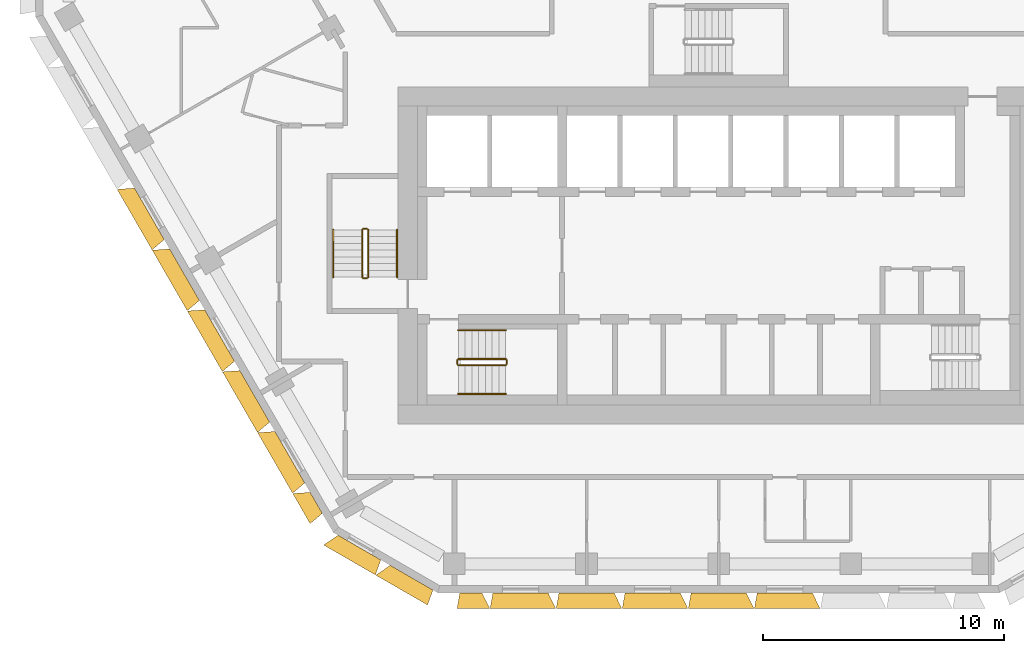
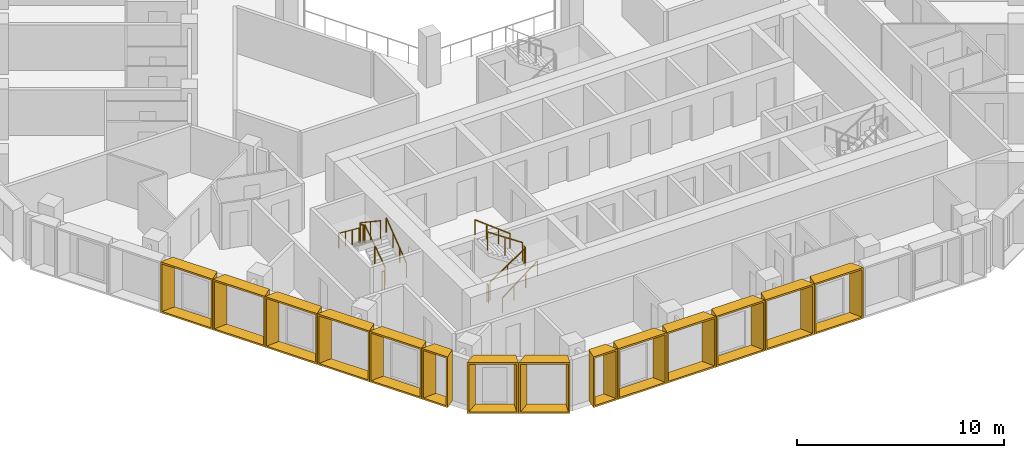
# One storey, part 12 of 15: 14 shading devices, 12 railings.
"""IFC4 building model written with IfcOpenShell, lengths in metres."""

from ifc_helpers import new_model, entity, si_unit, direction, frame, origin, origin_2d, place, context, subcontext, project, spatial, rectangle, extrude, source, transform, mapped, material, type_object, type_shapes, element, save


model = new_model("IFC4")

# Units and contexts
model_context = context("Model", 3, precision=1e-05, world=origin(), true_north=direction((0.0, 1.0)))
body_context = subcontext(model_context, "Body", "Model", "MODEL_VIEW")
ifc_project = project(units=[si_unit("LENGTHUNIT", "METRE"), si_unit("AREAUNIT", "SQUARE_METRE"), si_unit("VOLUMEUNIT", "CUBIC_METRE"), si_unit("PLANEANGLEUNIT", "RADIAN"), si_unit("MASSUNIT", "GRAM", prefix="KILO")], contexts=[model_context])

# Site, building, storey
site_placement = place(None, origin())
site = spatial("IfcSite", under=ifc_project, at=site_placement, CompositionType="ELEMENT")
building_placement = place(site_placement, origin())
building = spatial("IfcBuilding", under=site, at=building_placement, Name="Beryl Residences", CompositionType="ELEMENT")
storey_placement = place(building_placement, frame((0.0, 0.0, 135.60009765625)))
storey = spatial("IfcBuildingStorey", under=building, at=storey_placement, Name="L41", CompositionType="ELEMENT", Elevation=135.60009765625)

# Shading devices
ifc_material_1 = material(Name="Aluminium pale anodised", Category="aluminium")
shading_device_type_1 = type_object("IfcShadingDeviceType", Name="FR137-65C OUTER SKIN frame 650 mm deep, splay 10/26 deg, 1370 x 3000 mm cell", PredefinedType="USERDEFINED", material=ifc_material_1)
cartesian_point_1 = entity("IfcCartesianPoint", [-0.458984375, 0.0])
cartesian_point_2 = entity("IfcCartesianPoint", [-0.377685546875, 0.10009765625])
cartesian_point_3 = entity("IfcCartesianPoint", [-0.57373046875, 0.0])
cartesian_point_4 = entity("IfcCartesianPoint", [-0.492431640625, 0.10009765625])
shared_shape_1 = source(origin(), body_context, "Body", "SweptSolid", [
    entity("IfcExtrudedAreaSolidTapered", entity("IfcArbitraryProfileDefWithVoids", "AREA", None, entity("IfcPolyline", [cartesian_point_1, entity("IfcCartesianPoint", [0.458984375, 0.0]), entity("IfcCartesianPoint", [0.458984375, 3.0]), entity("IfcCartesianPoint", [-0.458984375, 3.0]), cartesian_point_1]), [entity("IfcPolyline", [cartesian_point_2, entity("IfcCartesianPoint", [0.369873046875, 0.10009765625]), entity("IfcCartesianPoint", [0.369873046875, 2.89990234375]), entity("IfcCartesianPoint", [-0.377685546875, 2.89990234375]), cartesian_point_2])]), entity("IfcAxis2Placement3D", entity("IfcCartesianPoint", [0.0, 0.0, 0.0]), entity("IfcDirection", [0.0, 1.0, 0.0]), entity("IfcDirection", [-1.0, 0.0, 0.0])), entity("IfcDirection", [0.0, 0.0, 1.0]), 0.64990234375, entity("IfcArbitraryProfileDefWithVoids", "AREA", None, entity("IfcPolyline", [cartesian_point_3, entity("IfcCartesianPoint", [0.776123046875, 0.0]), entity("IfcCartesianPoint", [0.776123046875, 3.0]), entity("IfcCartesianPoint", [-0.57373046875, 3.0]), cartesian_point_3]), [entity("IfcPolyline", [cartesian_point_4, entity("IfcCartesianPoint", [0.68701171875, 0.10009765625]), entity("IfcCartesianPoint", [0.68701171875, 2.89990234375]), entity("IfcCartesianPoint", [-0.492431640625, 2.89990234375]), cartesian_point_4])])),
])
type_shapes(shading_device_type_1, [shared_shape_1])
shading_device_1_placement = place(storey_placement, frame((-10.282958984375, -26.0, 0.0), z_axis=(0.0, 0.0, 1.0), x_axis=(-1.0, 0.0, 0.0)))
element("IfcShadingDevice", 1, at=shading_device_1_placement, inside=storey, type_object=shading_device_type_1, Name="FR137-65C frame L41 S 1", ObjectType="OUTER SKIN", PredefinedType="USERDEFINED", context=body_context, shape_type="MappedRepresentation", body=[
    mapped(shared_shape_1, transform((0.0, 0.0, 0.0))),
])
ifc_material_2 = material(Name="Aluminium pale anodised", Category="aluminium")
shading_device_type_2 = type_object("IfcShadingDeviceType", Name="FR146-65B OUTER SKIN frame 650 mm deep, splay 26/10 deg, 1460 x 3000 mm cell", PredefinedType="USERDEFINED", material=ifc_material_2)
cartesian_point_5 = entity("IfcCartesianPoint", [-0.50390625, 0.0])
cartesian_point_6 = entity("IfcCartesianPoint", [-0.4150390625, 0.10009765625])
cartesian_point_7 = entity("IfcCartesianPoint", [-0.821044921875, 0.0])
cartesian_point_8 = entity("IfcCartesianPoint", [-0.73193359375, 0.10009765625])
shared_shape_2 = source(origin(), body_context, "Body", "SweptSolid", [
    entity("IfcExtrudedAreaSolidTapered", entity("IfcArbitraryProfileDefWithVoids", "AREA", None, entity("IfcPolyline", [cartesian_point_5, entity("IfcCartesianPoint", [0.50390625, 0.0]), entity("IfcCartesianPoint", [0.50390625, 3.0]), entity("IfcCartesianPoint", [-0.50390625, 3.0]), cartesian_point_5]), [entity("IfcPolyline", [cartesian_point_6, entity("IfcCartesianPoint", [0.4228515625, 0.10009765625]), entity("IfcCartesianPoint", [0.4228515625, 2.89990234375]), entity("IfcCartesianPoint", [-0.4150390625, 2.89990234375]), cartesian_point_6])]), entity("IfcAxis2Placement3D", entity("IfcCartesianPoint", [0.0, 0.0, 0.0]), entity("IfcDirection", [0.0, 1.0, 0.0]), entity("IfcDirection", [-1.0, 0.0, 0.0])), entity("IfcDirection", [0.0, 0.0, 1.0]), 0.64990234375, entity("IfcArbitraryProfileDefWithVoids", "AREA", None, entity("IfcPolyline", [cartesian_point_7, entity("IfcCartesianPoint", [0.61865234375, 0.0]), entity("IfcCartesianPoint", [0.61865234375, 3.0]), entity("IfcCartesianPoint", [-0.821044921875, 3.0]), cartesian_point_7]), [entity("IfcPolyline", [cartesian_point_8, entity("IfcCartesianPoint", [0.537353515625, 0.10009765625]), entity("IfcCartesianPoint", [0.537353515625, 2.89990234375]), entity("IfcCartesianPoint", [-0.73193359375, 2.89990234375]), cartesian_point_8])])),
])
type_shapes(shading_device_type_2, [shared_shape_2])
shading_device_2_placement = place(storey_placement, frame((-16.7041015625, -22.26806640625, 0.0), z_axis=(0.0, 0.0, 1.0), x_axis=(-0.5, 0.866025403784, 0.0)))
element("IfcShadingDevice", 2, at=shading_device_2_placement, inside=storey, type_object=shading_device_type_2, Name="FR146-65B frame L41 SW 9", ObjectType="OUTER SKIN", PredefinedType="USERDEFINED", context=body_context, shape_type="MappedRepresentation", body=[
    mapped(shared_shape_2, transform((0.0, 0.0, 0.0))),
])
ifc_material_3 = material(Name="Aluminium pale anodised", Category="aluminium")
shading_device_type_3 = type_object("IfcShadingDeviceType", Name="FR250-65B OUTER SKIN frame 650 mm deep, splay 26/10 deg, 2500 x 3000 mm cell", PredefinedType="USERDEFINED", material=ifc_material_3)
cartesian_point_9 = entity("IfcCartesianPoint", [-1.02392578125, 0.0])
cartesian_point_10 = entity("IfcCartesianPoint", [-0.93505859375, 0.10009765625])
cartesian_point_11 = entity("IfcCartesianPoint", [-1.341064453125, 0.0])
cartesian_point_12 = entity("IfcCartesianPoint", [-1.251953125, 0.10009765625])
shared_shape_3 = source(origin(), body_context, "Body", "SweptSolid", [
    entity("IfcExtrudedAreaSolidTapered", entity("IfcArbitraryProfileDefWithVoids", "AREA", None, entity("IfcPolyline", [cartesian_point_9, entity("IfcCartesianPoint", [1.02392578125, 0.0]), entity("IfcCartesianPoint", [1.02392578125, 3.0]), entity("IfcCartesianPoint", [-1.02392578125, 3.0]), cartesian_point_9]), [entity("IfcPolyline", [cartesian_point_10, entity("IfcCartesianPoint", [0.94287109375, 0.10009765625]), entity("IfcCartesianPoint", [0.94287109375, 2.89990234375]), entity("IfcCartesianPoint", [-0.93505859375, 2.89990234375]), cartesian_point_10])]), entity("IfcAxis2Placement3D", entity("IfcCartesianPoint", [0.0, 0.0, 0.0]), entity("IfcDirection", [0.0, 1.0, 0.0]), entity("IfcDirection", [-1.0, 0.0, 0.0])), entity("IfcDirection", [0.0, 0.0, 1.0]), 0.64990234375, entity("IfcArbitraryProfileDefWithVoids", "AREA", None, entity("IfcPolyline", [cartesian_point_11, entity("IfcCartesianPoint", [1.138671875, 0.0]), entity("IfcCartesianPoint", [1.138671875, 3.0]), entity("IfcCartesianPoint", [-1.341064453125, 3.0]), cartesian_point_11]), [entity("IfcPolyline", [cartesian_point_12, entity("IfcCartesianPoint", [1.057373046875, 0.10009765625]), entity("IfcCartesianPoint", [1.057373046875, 2.89990234375]), entity("IfcCartesianPoint", [-1.251953125, 2.89990234375]), cartesian_point_12])])),
])
type_shapes(shading_device_type_3, [shared_shape_3])
for number, where, z_axis, x_axis, name in (
    (3, (-14.909912109375, -24.125, 0.0), (0.0, 0.0, 1.0), (-0.866025403784, 0.5, 0.0), "FR250-65B frame L41 SW-S 1"),
    (4, (-12.7451171875, -25.375, 0.0), (0.0, 0.0, 1.0), (-0.866025403784, 0.5, 0.0), "FR250-65B frame L41 SW-S 2"),
):
    element("IfcShadingDevice", number, at=place(storey_placement, frame(where, z_axis=z_axis, x_axis=x_axis)), inside=storey, type_object=shading_device_type_3, Name=name, ObjectType="OUTER SKIN", PredefinedType="USERDEFINED", context=body_context, shape_type="MappedRepresentation", body=[
        mapped(shared_shape_3, transform((0.0, 0.0, 0.0))),
    ])
ifc_material_4 = material(Name="Aluminium pale anodised", Category="aluminium")
shading_device_type_4 = type_object("IfcShadingDeviceType", Name="FR274-65C OUTER SKIN frame 650 mm deep, splay 10/26 deg, 2740 x 3000 mm cell", PredefinedType="USERDEFINED", material=ifc_material_4)
cartesian_point_13 = entity("IfcCartesianPoint", [-1.14404296875, 0.0])
cartesian_point_14 = entity("IfcCartesianPoint", [-1.062744140625, 0.10009765625])
cartesian_point_15 = entity("IfcCartesianPoint", [-1.258544921875, 0.0])
cartesian_point_16 = entity("IfcCartesianPoint", [-1.177490234375, 0.10009765625])
shared_shape_4 = source(origin(), body_context, "Body", "SweptSolid", [
    entity("IfcExtrudedAreaSolidTapered", entity("IfcArbitraryProfileDefWithVoids", "AREA", None, entity("IfcPolyline", [cartesian_point_13, entity("IfcCartesianPoint", [1.14404296875, 0.0]), entity("IfcCartesianPoint", [1.14404296875, 3.0]), entity("IfcCartesianPoint", [-1.14404296875, 3.0]), cartesian_point_13]), [entity("IfcPolyline", [cartesian_point_14, entity("IfcCartesianPoint", [1.054931640625, 0.10009765625]), entity("IfcCartesianPoint", [1.054931640625, 2.89990234375]), entity("IfcCartesianPoint", [-1.062744140625, 2.89990234375]), cartesian_point_14])]), entity("IfcAxis2Placement3D", entity("IfcCartesianPoint", [0.0, 0.0, 0.0]), entity("IfcDirection", [0.0, 1.0, 0.0]), entity("IfcDirection", [-1.0, 0.0, 0.0])), entity("IfcDirection", [0.0, 0.0, 1.0]), 0.64990234375, entity("IfcArbitraryProfileDefWithVoids", "AREA", None, entity("IfcPolyline", [cartesian_point_15, entity("IfcCartesianPoint", [1.4609375, 0.0]), entity("IfcCartesianPoint", [1.4609375, 3.0]), entity("IfcCartesianPoint", [-1.258544921875, 3.0]), cartesian_point_15]), [entity("IfcPolyline", [cartesian_point_16, entity("IfcCartesianPoint", [1.3720703125, 0.10009765625]), entity("IfcCartesianPoint", [1.3720703125, 2.89990234375]), entity("IfcCartesianPoint", [-1.177490234375, 2.89990234375]), cartesian_point_16])])),
])
type_shapes(shading_device_type_4, [shared_shape_4])
for number, where, z_axis, x_axis, name in (
    (5, (-8.22607421875, -26.0, 0.0), (0.0, 0.0, 1.0), (-1.0, 0.0, 0.0), "FR274-65C frame L41 S 2"),
    (6, (-5.48388671875, -26.0, 0.0), (0.0, 0.0, 1.0), (-1.0, 0.0, 0.0), "FR274-65C frame L41 S 3"),
    (7, (-2.741943359375, -26.0, 0.0), (0.0, 0.0, 1.0), (-1.0, 0.0, 0.0), "FR274-65C frame L41 S 4"),
    (8, (0.0009765625, -26.0, 0.0), (0.0, 0.0, 1.0), (-1.0, 0.0, 0.0), "FR274-65C frame L41 S 5"),
    (9, (2.743896484375, -26.0, 0.0), (0.0, 0.0, 1.0), (-1.0, 0.0, 0.0), "FR274-65C frame L41 S 6"),
):
    element("IfcShadingDevice", number, at=place(storey_placement, frame(where, z_axis=z_axis, x_axis=x_axis)), inside=storey, type_object=shading_device_type_4, Name=name, ObjectType="OUTER SKIN", PredefinedType="USERDEFINED", context=body_context, shape_type="MappedRepresentation", body=[
        mapped(shared_shape_4, transform((0.0, 0.0, 0.0))),
    ])
ifc_material_5 = material(Name="Aluminium pale anodised", Category="aluminium")
shading_device_type_5 = type_object("IfcShadingDeviceType", Name="FR292-65B OUTER SKIN frame 650 mm deep, splay 26/10 deg, 2920 x 3000 mm cell", PredefinedType="USERDEFINED", material=ifc_material_5)
cartesian_point_17 = entity("IfcCartesianPoint", [-1.23388671875, 0.0])
cartesian_point_18 = entity("IfcCartesianPoint", [-1.14501953125, 0.10009765625])
cartesian_point_19 = entity("IfcCartesianPoint", [-1.551025390625, 0.0])
cartesian_point_20 = entity("IfcCartesianPoint", [-1.4619140625, 0.10009765625])
shared_shape_5 = source(origin(), body_context, "Body", "SweptSolid", [
    entity("IfcExtrudedAreaSolidTapered", entity("IfcArbitraryProfileDefWithVoids", "AREA", None, entity("IfcPolyline", [cartesian_point_17, entity("IfcCartesianPoint", [1.23388671875, 0.0]), entity("IfcCartesianPoint", [1.23388671875, 3.0]), entity("IfcCartesianPoint", [-1.23388671875, 3.0]), cartesian_point_17]), [entity("IfcPolyline", [cartesian_point_18, entity("IfcCartesianPoint", [1.15283203125, 0.10009765625]), entity("IfcCartesianPoint", [1.15283203125, 2.89990234375]), entity("IfcCartesianPoint", [-1.14501953125, 2.89990234375]), cartesian_point_18])]), entity("IfcAxis2Placement3D", entity("IfcCartesianPoint", [0.0, 0.0, 0.0]), entity("IfcDirection", [0.0, 1.0, 0.0]), entity("IfcDirection", [-1.0, 0.0, 0.0])), entity("IfcDirection", [0.0, 0.0, 1.0]), 0.64990234375, entity("IfcArbitraryProfileDefWithVoids", "AREA", None, entity("IfcPolyline", [cartesian_point_19, entity("IfcCartesianPoint", [1.3486328125, 0.0]), entity("IfcCartesianPoint", [1.3486328125, 3.0]), entity("IfcCartesianPoint", [-1.551025390625, 3.0]), cartesian_point_19]), [entity("IfcPolyline", [cartesian_point_20, entity("IfcCartesianPoint", [1.267333984375, 0.10009765625]), entity("IfcCartesianPoint", [1.267333984375, 2.89990234375]), entity("IfcCartesianPoint", [-1.4619140625, 2.89990234375]), cartesian_point_20])])),
])
type_shapes(shading_device_type_5, [shared_shape_5])
for number, where, z_axis, x_axis, name in (
    (10, (-23.6279296875, -10.27392578125, 0.0), (0.0, 0.0, 1.0), (-0.5, 0.866025403784, 0.0), "FR292-65B frame L41 SW 4"),
    (11, (-22.169921875, -12.799072265625, 0.0), (0.0, 0.0, 1.0), (-0.5, 0.866025403784, 0.0), "FR292-65B frame L41 SW 5"),
    (12, (-20.712890625, -15.323974609375, 0.0), (0.0, 0.0, 1.0), (-0.5, 0.866025403784, 0.0), "FR292-65B frame L41 SW 6"),
    (13, (-19.2548828125, -17.84912109375, 0.0), (0.0, 0.0, 1.0), (-0.5, 0.866025403784, 0.0), "FR292-65B frame L41 SW 7"),
    (14, (-17.797119140625, -20.3740234375, 0.0), (0.0, 0.0, 1.0), (-0.5, 0.866025403784, 0.0), "FR292-65B frame L41 SW 8"),
):
    element("IfcShadingDevice", number, at=place(storey_placement, frame(where, z_axis=z_axis, x_axis=x_axis)), inside=storey, type_object=shading_device_type_5, Name=name, ObjectType="OUTER SKIN", PredefinedType="USERDEFINED", context=body_context, shape_type="MappedRepresentation", body=[
        mapped(shared_shape_5, transform((0.0, 0.0, 0.0))),
    ])

# Railings
ifc_material_6 = material(Name="Stainless steel balustrade with glass infill", Category="steel")
railing_type_1 = type_object("IfcRailingType", Name="SG1 stair guard 1100 mm", PredefinedType="GUARDRAIL", material=ifc_material_6)
railing_1_placement = place(storey_placement, frame((-10.800048828125, -16.550048828125, 0.1875)))
element("IfcRailing", 15, at=railing_1_placement, inside=storey, type_object=railing_type_1, Name="L41 ST-1 stair guard 1", PredefinedType="GUARDRAIL", context=body_context, shape_type="SweptSolid", body=[
    extrude(rectangle(XDim=0.048095703125, YDim=0.048095703125, at=origin_2d()), frame((0.0, 0.0, 1.076171875), z_axis=(0.830902050051, 0.0, 0.556418712142), x_axis=(0.0, 1.0, 0.0)), (0.0, 0.0, 1.0), 2.35888671875),
    extrude(rectangle(XDim=0.0419921875, YDim=0.0419921875, at=origin_2d()), origin(), (0.0, 0.0, 1.0), 1.052001953125),
    extrude(rectangle(XDim=0.0419921875, YDim=0.0419921875, at=origin_2d()), frame((0.97998046875, 0.0, 0.65625)), (0.0, 0.0, 1.0), 1.052001953125),
    extrude(rectangle(XDim=0.0419921875, YDim=0.0419921875, at=origin_2d()), frame((1.9599609375, 0.0, 1.3125)), (0.0, 0.0, 1.0), 1.052001953125),
])
railing_2_placement = place(storey_placement, frame((-8.7900390625, -16.5, 1.5)))
element("IfcRailing", 16, at=railing_2_placement, inside=storey, type_object=railing_type_1, Name="L41 ST-1 stair guard 2", PredefinedType="GUARDRAIL", context=body_context, shape_type="SweptSolid", body=[
    extrude(rectangle(XDim=0.048095703125, YDim=0.048095703125, at=origin_2d()), frame((0.0, 0.0, 1.076171875), z_axis=(0.0, 1.0, 0.0), x_axis=(-1.0, 0.0, 0.0)), (0.0, 0.0, 1.0), 0.14990234375),
    extrude(rectangle(XDim=0.0419921875, YDim=0.0419921875, at=origin_2d()), origin(), (0.0, 0.0, 1.0), 1.052001953125),
    extrude(rectangle(XDim=0.0419921875, YDim=0.0419921875, at=origin_2d()), frame((0.0, 0.14990234375, 0.0)), (0.0, 0.0, 1.0), 1.052001953125),
])
railing_3_placement = place(storey_placement, frame((-8.840087890625, -16.300048828125, 1.6875)))
element("IfcRailing", 17, at=railing_3_placement, inside=storey, type_object=railing_type_1, Name="L41 ST-1 stair guard 3", PredefinedType="GUARDRAIL", context=body_context, shape_type="SweptSolid", body=[
    extrude(rectangle(XDim=0.048095703125, YDim=0.048095703125, at=origin_2d()), frame((0.0, 0.0, 1.076171875), z_axis=(-0.830902050051, 0.0, 0.556418712142), x_axis=(0.0, -1.0, 0.0)), (0.0, 0.0, 1.0), 2.35888671875),
    extrude(rectangle(XDim=0.0419921875, YDim=0.0419921875, at=origin_2d()), origin(), (0.0, 0.0, 1.0), 1.052001953125),
    extrude(rectangle(XDim=0.0419921875, YDim=0.0419921875, at=origin_2d()), frame((-0.97998046875, 0.0, 0.65625)), (0.0, 0.0, 1.0), 1.052001953125),
    extrude(rectangle(XDim=0.0419921875, YDim=0.0419921875, at=origin_2d()), frame((-1.9599609375, 0.0, 1.3125)), (0.0, 0.0, 1.0), 1.052001953125),
])
railing_4_placement = place(storey_placement, frame((-10.85009765625, -16.5, 0.0)))
element("IfcRailing", 18, at=railing_4_placement, inside=storey, type_object=railing_type_1, Name="L41 ST-1 stair guard 4", PredefinedType="GUARDRAIL", context=body_context, shape_type="SweptSolid", body=[
    extrude(rectangle(XDim=0.048095703125, YDim=0.048095703125, at=origin_2d()), frame((0.0, 0.0, 1.076171875), z_axis=(0.0, 1.0, 0.0), x_axis=(-1.0, 0.0, 0.0)), (0.0, 0.0, 1.0), 0.14990234375),
    extrude(rectangle(XDim=0.0419921875, YDim=0.0419921875, at=origin_2d()), origin(), (0.0, 0.0, 1.0), 1.052001953125),
    extrude(rectangle(XDim=0.0419921875, YDim=0.0419921875, at=origin_2d()), frame((0.0, 0.14990234375, 0.0)), (0.0, 0.0, 1.0), 1.052001953125),
])
railing_5_placement = place(storey_placement, frame((-14.550048828125, -12.89990234375, 0.1875)))
element("IfcRailing", 19, at=railing_5_placement, inside=storey, type_object=railing_type_1, Name="L41 ST-2 stair guard 1", PredefinedType="GUARDRAIL", context=body_context, shape_type="SweptSolid", body=[
    extrude(rectangle(XDim=0.048095703125, YDim=0.048095703125, at=origin_2d()), frame((0.0, 0.0, 1.076171875), z_axis=(0.0, 0.830902050051, 0.556418712142), x_axis=(-1.0, 0.0, 0.0)), (0.0, 0.0, 1.0), 2.35888671875),
    extrude(rectangle(XDim=0.0419921875, YDim=0.0419921875, at=origin_2d()), origin(), (0.0, 0.0, 1.0), 1.052001953125),
    extrude(rectangle(XDim=0.0419921875, YDim=0.0419921875, at=origin_2d()), frame((0.0, 0.97998046875, 0.65625)), (0.0, 0.0, 1.0), 1.052001953125),
    extrude(rectangle(XDim=0.0419921875, YDim=0.0419921875, at=origin_2d()), frame((0.0, 1.9599609375, 1.3125)), (0.0, 0.0, 1.0), 1.052001953125),
])
railing_6_placement = place(storey_placement, frame((-14.60009765625, -10.889892578125, 1.5)))
element("IfcRailing", 20, at=railing_6_placement, inside=storey, type_object=railing_type_1, Name="L41 ST-2 stair guard 2", PredefinedType="GUARDRAIL", context=body_context, shape_type="SweptSolid", body=[
    extrude(rectangle(XDim=0.048095703125, YDim=0.048095703125, at=origin_2d()), frame((0.0, 0.0, 1.076171875), z_axis=(-1.0, 0.0, 0.0), x_axis=(0.0, -1.0, 0.0)), (0.0, 0.0, 1.0), 0.14990234375),
    extrude(rectangle(XDim=0.0419921875, YDim=0.0419921875, at=origin_2d()), origin(), (0.0, 0.0, 1.0), 1.052001953125),
    extrude(rectangle(XDim=0.0419921875, YDim=0.0419921875, at=origin_2d()), frame((-0.14990234375, 0.0, 0.0)), (0.0, 0.0, 1.0), 1.052001953125),
])
railing_7_placement = place(storey_placement, frame((-14.800048828125, -10.93994140625, 1.6875)))
element("IfcRailing", 21, at=railing_7_placement, inside=storey, type_object=railing_type_1, Name="L41 ST-2 stair guard 3", PredefinedType="GUARDRAIL", context=body_context, shape_type="SweptSolid", body=[
    extrude(rectangle(XDim=0.048095703125, YDim=0.048095703125, at=origin_2d()), frame((0.0, 0.0, 1.076171875), z_axis=(0.0, -0.830902050051, 0.556418712142), x_axis=(1.0, 0.0, 0.0)), (0.0, 0.0, 1.0), 2.35888671875),
    extrude(rectangle(XDim=0.0419921875, YDim=0.0419921875, at=origin_2d()), origin(), (0.0, 0.0, 1.0), 1.052001953125),
    extrude(rectangle(XDim=0.0419921875, YDim=0.0419921875, at=origin_2d()), frame((0.0, -0.97998046875, 0.65625)), (0.0, 0.0, 1.0), 1.052001953125),
    extrude(rectangle(XDim=0.0419921875, YDim=0.0419921875, at=origin_2d()), frame((0.0, -1.9599609375, 1.3125)), (0.0, 0.0, 1.0), 1.052001953125),
])
railing_8_placement = place(storey_placement, frame((-14.60009765625, -12.949951171875, 0.0)))
element("IfcRailing", 22, at=railing_8_placement, inside=storey, type_object=railing_type_1, Name="L41 ST-2 stair guard 4", PredefinedType="GUARDRAIL", context=body_context, shape_type="SweptSolid", body=[
    extrude(rectangle(XDim=0.048095703125, YDim=0.048095703125, at=origin_2d()), frame((0.0, 0.0, 1.076171875), z_axis=(-1.0, 0.0, 0.0), x_axis=(0.0, -1.0, 0.0)), (0.0, 0.0, 1.0), 0.14990234375),
    extrude(rectangle(XDim=0.0419921875, YDim=0.0419921875, at=origin_2d()), origin(), (0.0, 0.0, 1.0), 1.052001953125),
    extrude(rectangle(XDim=0.0419921875, YDim=0.0419921875, at=origin_2d()), frame((-0.14990234375, 0.0, 0.0)), (0.0, 0.0, 1.0), 1.052001953125),
])
ifc_material_7 = material(Name="Stainless steel handrail", Category="steel")
railing_type_2 = type_object("IfcRailingType", Name="SRL1 stair handrail 900 mm", PredefinedType="HANDRAIL", material=ifc_material_7)
railing_9_placement = place(storey_placement, frame((-10.800048828125, -17.75, 0.1875)))
element("IfcRailing", 23, at=railing_9_placement, inside=storey, type_object=railing_type_2, Name="L41 ST-1 stair handrail 1", PredefinedType="HANDRAIL", context=body_context, shape_type="SweptSolid", body=[
    extrude(rectangle(XDim=0.048095703125, YDim=0.048095703125, at=origin_2d()), frame((0.0, 0.0, 0.8759765625), z_axis=(0.794121922505, 0.0, 0.607758481798), x_axis=(0.0, 1.0, 0.0)), (0.0, 0.0, 1.0), 2.468017578125),
    extrude(rectangle(XDim=0.0419921875, YDim=0.0419921875, at=origin_2d()), origin(), (0.0, 0.0, 1.0), 0.851806640625),
    extrude(rectangle(XDim=0.0419921875, YDim=0.0419921875, at=origin_2d()), frame((0.6533203125, 0.0, 0.5)), (0.0, 0.0, 1.0), 0.851806640625),
    extrude(rectangle(XDim=0.0419921875, YDim=0.0419921875, at=origin_2d()), frame((1.306640625, 0.0, 1.0)), (0.0, 0.0, 1.0), 0.851806640625),
    extrude(rectangle(XDim=0.0419921875, YDim=0.0419921875, at=origin_2d()), frame((1.9599609375, 0.0, 1.5)), (0.0, 0.0, 1.0), 0.851806640625),
])
railing_10_placement = place(storey_placement, frame((-8.840087890625, -15.10009765625, 1.6875)))
element("IfcRailing", 24, at=railing_10_placement, inside=storey, type_object=railing_type_2, Name="L41 ST-1 stair handrail 2", PredefinedType="HANDRAIL", context=body_context, shape_type="SweptSolid", body=[
    extrude(rectangle(XDim=0.048095703125, YDim=0.048095703125, at=origin_2d()), frame((0.0, 0.0, 0.8759765625), z_axis=(-0.794121922505, 0.0, 0.607758481798), x_axis=(0.0, -1.0, 0.0)), (0.0, 0.0, 1.0), 2.468017578125),
    extrude(rectangle(XDim=0.0419921875, YDim=0.0419921875, at=origin_2d()), origin(), (0.0, 0.0, 1.0), 0.851806640625),
    extrude(rectangle(XDim=0.0419921875, YDim=0.0419921875, at=origin_2d()), frame((-0.6533203125, 0.0, 0.5)), (0.0, 0.0, 1.0), 0.851806640625),
    extrude(rectangle(XDim=0.0419921875, YDim=0.0419921875, at=origin_2d()), frame((-1.306640625, 0.0, 1.0)), (0.0, 0.0, 1.0), 0.851806640625),
    extrude(rectangle(XDim=0.0419921875, YDim=0.0419921875, at=origin_2d()), frame((-1.9599609375, 0.0, 1.5)), (0.0, 0.0, 1.0), 0.851806640625),
])
railing_11_placement = place(storey_placement, frame((-13.35009765625, -12.89990234375, 0.1875)))
element("IfcRailing", 25, at=railing_11_placement, inside=storey, type_object=railing_type_2, Name="L41 ST-2 stair handrail 1", PredefinedType="HANDRAIL", context=body_context, shape_type="SweptSolid", body=[
    extrude(rectangle(XDim=0.048095703125, YDim=0.048095703125, at=origin_2d()), frame((0.0, 0.0, 0.8759765625), z_axis=(0.0, 0.794121922505, 0.607758481798), x_axis=(-1.0, 0.0, 0.0)), (0.0, 0.0, 1.0), 2.468017578125),
    extrude(rectangle(XDim=0.0419921875, YDim=0.0419921875, at=origin_2d()), origin(), (0.0, 0.0, 1.0), 0.851806640625),
    extrude(rectangle(XDim=0.0419921875, YDim=0.0419921875, at=origin_2d()), frame((0.0, 0.6533203125, 0.5)), (0.0, 0.0, 1.0), 0.851806640625),
    extrude(rectangle(XDim=0.0419921875, YDim=0.0419921875, at=origin_2d()), frame((0.0, 1.306640625, 1.0)), (0.0, 0.0, 1.0), 0.851806640625),
    extrude(rectangle(XDim=0.0419921875, YDim=0.0419921875, at=origin_2d()), frame((0.0, 1.9599609375, 1.5)), (0.0, 0.0, 1.0), 0.851806640625),
])
railing_12_placement = place(storey_placement, frame((-16.0, -10.93994140625, 1.6875)))
element("IfcRailing", 26, at=railing_12_placement, inside=storey, type_object=railing_type_2, Name="L41 ST-2 stair handrail 2", PredefinedType="HANDRAIL", context=body_context, shape_type="SweptSolid", body=[
    extrude(rectangle(XDim=0.048095703125, YDim=0.048095703125, at=origin_2d()), frame((0.0, 0.0, 0.8759765625), z_axis=(0.0, -0.794121922505, 0.607758481798), x_axis=(1.0, 0.0, 0.0)), (0.0, 0.0, 1.0), 2.468017578125),
    extrude(rectangle(XDim=0.0419921875, YDim=0.0419921875, at=origin_2d()), origin(), (0.0, 0.0, 1.0), 0.851806640625),
    extrude(rectangle(XDim=0.0419921875, YDim=0.0419921875, at=origin_2d()), frame((0.0, -0.6533203125, 0.5)), (0.0, 0.0, 1.0), 0.851806640625),
    extrude(rectangle(XDim=0.0419921875, YDim=0.0419921875, at=origin_2d()), frame((0.0, -1.306640625, 1.0)), (0.0, 0.0, 1.0), 0.851806640625),
    extrude(rectangle(XDim=0.0419921875, YDim=0.0419921875, at=origin_2d()), frame((0.0, -1.9599609375, 1.5)), (0.0, 0.0, 1.0), 0.851806640625),
])

save(model, "model.ifc")
